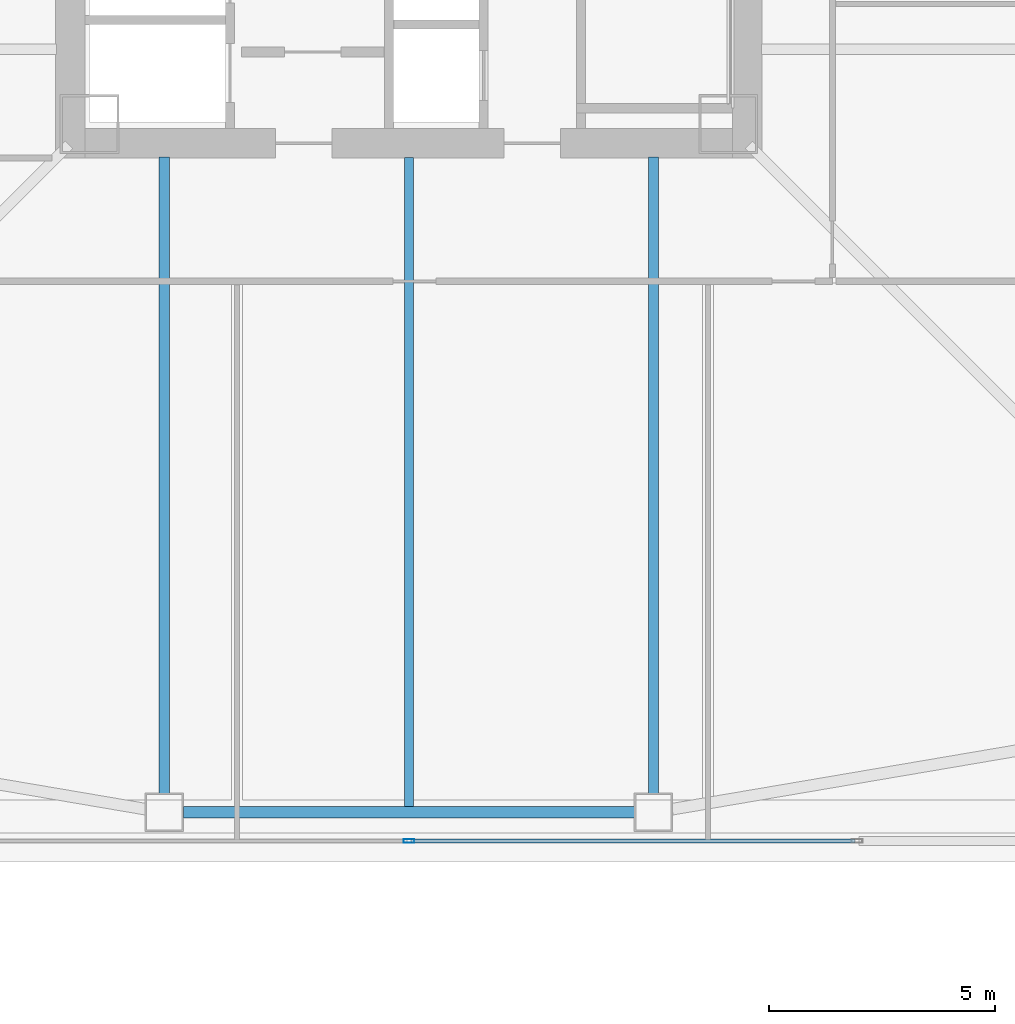
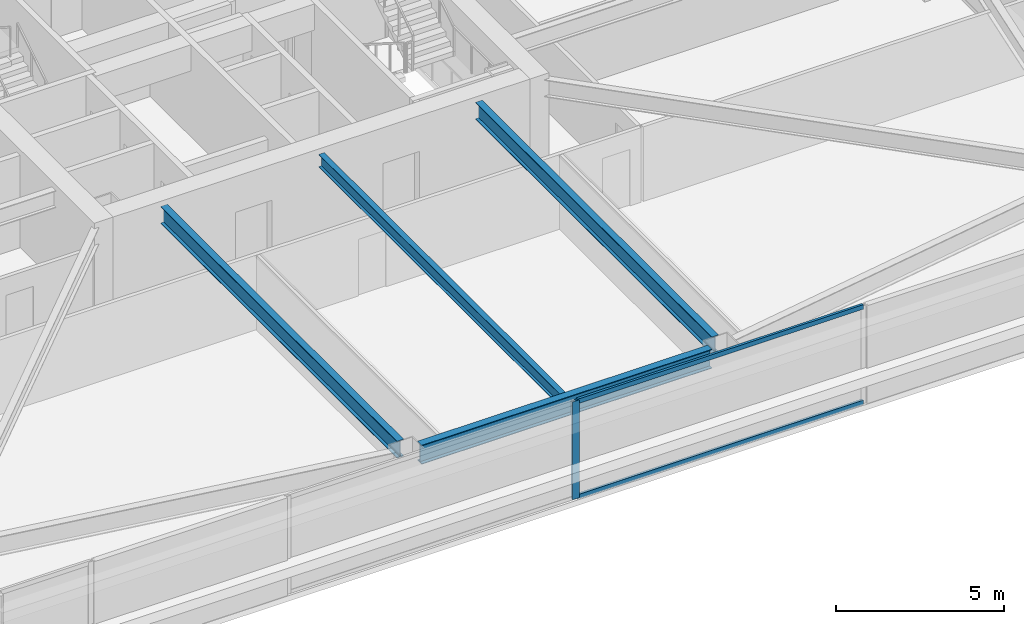
# One storey, part 5 of 51: 4 beams, 3 members, 1 element without a shape of its own.
"""IFC4 building model written with IfcOpenShell, lengths in metres."""

import ifcopenshell
import ifcopenshell.guid

model = None  # the IFC model being written
_history = None  # IfcOwnerHistory: only IFC2X3 demands one
_inside = {}  # id of a spatial element -> (the spatial element, [elements in it])
_under = {}  # id of a project, library or spatial element -> (it, [spatial elements below it])
_declared = {}  # id of a project -> (the project, [libraries it declares])
_typed = {}  # id of a type object -> (the type object, [elements of that type])
_made_of = {}  # id of a material, layer set ... -> (it, [elements and type objects made of it])


def new_model(schema):
    """Start an empty IFC model of exactly this schema.

    Asked for "IFC4X3", IfcOpenShell would pick the latest addendum, in which some entities
    have other attributes; the version numbers below select the first issue.
    IFC2X3 requires an IfcOwnerHistory on every rooted entity: one is made here for all.
    """
    global model, _history
    if schema == "IFC4X3":
        model = ifcopenshell.file(schema_version=(4, 3, 0, 0))
    else:
        model = ifcopenshell.file(schema=schema)
    _inside.clear()
    _under.clear()
    _declared.clear()
    _typed.clear()
    _made_of.clear()
    _history = None
    if model.schema == "IFC2X3":
        org = make("IfcOrganization", Name="unknown")
        user = make(
            "IfcPersonAndOrganization",
            ThePerson=make("IfcPerson", FamilyName="unknown"),
            TheOrganization=org,
        )
        app = make(
            "IfcApplication",
            ApplicationDeveloper=org,
            Version="unknown",
            ApplicationFullName="unknown",
            ApplicationIdentifier="unknown",
        )
        _history = make(
            "IfcOwnerHistory",
            OwningUser=user,
            OwningApplication=app,
            ChangeAction="ADDED",
            CreationDate=0,
        )
    return model


def make(cls, **values):
    """One entity of the class cls with the attributes given. An attribute that is None is left unset."""
    return model.create_entity(
        cls, **{name: value for name, value in values.items() if value is not None}
    )


def rooted(cls, **values):
    """An entity with a GlobalId (a new one), such as an element, a storey or a relation."""
    return make(cls, GlobalId=ifcopenshell.guid.new(), OwnerHistory=_history, **values)


def si_unit(unit_type, name, prefix=None):
    """IfcSIUnit, for example si_unit("LENGTHUNIT", "METRE", prefix="MILLI")."""
    return make("IfcSIUnit", UnitType=unit_type, Prefix=prefix, Name=name)


def assignment(units):
    """IfcUnitAssignment: the units of a project."""
    return None if units is None else make("IfcUnitAssignment", Units=units)


def point(xyz):
    """IfcCartesianPoint."""
    return None if xyz is None else make("IfcCartesianPoint", Coordinates=xyz)


def direction(xyz):
    """IfcDirection."""
    return None if xyz is None else make("IfcDirection", DirectionRatios=xyz)


def frame(location, z_axis=None, x_axis=None):
    """IfcAxis2Placement3D, a coordinate frame: its origin and axes. An axis left out is left unset."""
    return make(
        "IfcAxis2Placement3D",
        Location=point(location),
        Axis=direction(z_axis),
        RefDirection=direction(x_axis),
    )


def frame_2d(location, x_axis=None):
    """IfcAxis2Placement2D, a coordinate frame in the plane: its origin and x axis."""
    return make(
        "IfcAxis2Placement2D", Location=point(location), RefDirection=direction(x_axis)
    )


def origin():
    """The frame at (0, 0, 0) with its axes left unset."""
    return frame((0.0, 0.0, 0.0))


def origin_2d():
    """The frame at (0, 0) in the plane with its x axis left unset."""
    return frame_2d((0.0, 0.0))


def place(relative_to, where):
    """IfcLocalPlacement: puts the frame where relative to a parent placement (None: the world)."""
    return make(
        "IfcLocalPlacement", PlacementRelTo=relative_to, RelativePlacement=where
    )


def context(
    kind, dimensions, precision=None, world=None, true_north=None, identifier=None
):
    """IfcGeometricRepresentationContext, for example the 3D "Model" context."""
    return make(
        "IfcGeometricRepresentationContext",
        ContextIdentifier=identifier,
        ContextType=kind,
        CoordinateSpaceDimension=dimensions,
        Precision=precision,
        WorldCoordinateSystem=world,
        TrueNorth=true_north,
    )


def subcontext(parent, identifier, kind, view, scale=None):
    """IfcGeometricRepresentationSubContext, for example "Body" below "Model"."""
    return make(
        "IfcGeometricRepresentationSubContext",
        ContextIdentifier=identifier,
        ContextType=kind,
        ParentContext=parent,
        TargetScale=scale,
        TargetView=view,
    )


def project(units=None, contexts=None):
    """IfcProject with its units and contexts."""
    return rooted(
        "IfcProject",
        Name="project",
        RepresentationContexts=contexts,
        UnitsInContext=assignment(units),
    )


def spatial(cls, under=None, at=None, **own):
    """A site, building, storey or space (cls), placed at a placement, below another one or the project."""
    s = rooted(cls, ObjectPlacement=at, **own)
    if under is not None:
        _under.setdefault(under.id(), (under, []))[1].append(s)
    return s


def profile(cls, at=None, kind="AREA", **sizes):
    """A parametric profile (cls). Its sizes go by their IFC names, for example OverallWidth=200.0."""
    return make(cls, ProfileType=kind, Position=at, **sizes)


def hollow_rectangle(**sizes):
    """IfcRectangleHollowProfileDef."""
    return profile("IfcRectangleHollowProfileDef", **sizes)


def i_section(**sizes):
    """IfcIShapeProfileDef."""
    return profile("IfcIShapeProfileDef", **sizes)


def extrude(swept, where, along, depth):
    """IfcExtrudedAreaSolid: the profile swept, set in the frame where, extruded along a direction by depth."""
    return make(
        "IfcExtrudedAreaSolid",
        SweptArea=swept,
        Position=where,
        ExtrudedDirection=direction(along),
        Depth=depth,
    )


def shape(context_of_items, identifier, shape_type, items):
    """IfcShapeRepresentation: the items that make up one representation, for example the "Body"."""
    return make(
        "IfcShapeRepresentation",
        ContextOfItems=context_of_items,
        RepresentationIdentifier=identifier,
        RepresentationType=shape_type,
        Items=items,
    )


def material(Name=None, Category=None):
    """IfcMaterial."""
    return make("IfcMaterial", Name=Name, Category=Category)


def material_profile(
    of_material, cross_section, Name=None, Category=None, Priority=None
):
    """IfcMaterialProfile: a cross section and its material."""
    return make(
        "IfcMaterialProfile",
        Name=Name,
        Material=of_material,
        Profile=cross_section,
        Priority=Priority,
        Category=Category,
    )


def profile_set(profiles, Name=None, composite=None):
    """IfcMaterialProfileSet."""
    return make(
        "IfcMaterialProfileSet",
        Name=Name,
        MaterialProfiles=profiles,
        CompositeProfile=composite,
    )


def made_of(thing, what):
    """Note that an element or type object is made of a material, layer set ...; save() writes the relation."""
    if what is not None:
        _made_of.setdefault(what.id(), (what, []))[1].append(thing)
    return thing


def type_object(cls, material=None, **own):
    """A type object (cls), such as IfcWallType, which elements share."""
    return made_of(rooted(cls, **own), material)


def element(
    cls,
    number,
    at=None,
    inside=None,
    cuts=None,
    type_object=None,
    material=None,
    context=None,
    identifier="Body",
    shape_type=None,
    held_by="IfcProductDefinitionShape",
    body=None,
    shapes=None,
    **own,
):
    """One element of the class cls, such as IfcWall. Its Tag is "e" and its number.

    at: its placement. inside: the storey or other place that contains it. cuts: it is an
    opening in that element (IfcRelVoidsElement). A single representation is given by context,
    identifier, shape_type and body (its items); several are given by shapes. held_by: the class
    of the entity that holds the representations. save() writes the other relations.
    """
    e = rooted(cls, Tag="e%d" % number, ObjectPlacement=at, **own)
    if body is not None:
        shapes = [shape(context, identifier, shape_type, body)]
    if shapes is not None:
        e.Representation = make(held_by, Representations=shapes)
    if inside is not None:
        _inside.setdefault(inside.id(), (inside, []))[1].append(e)
    if cuts is not None:
        rooted(
            "IfcRelVoidsElement", RelatingBuildingElement=cuts, RelatedOpeningElement=e
        )
    if type_object is not None:
        _typed.setdefault(type_object.id(), (type_object, []))[1].append(e)
    return made_of(e, material)


def aggregate(whole, parts):
    """IfcRelAggregates: a whole, such as a stair, and the parts it consists of."""
    return rooted("IfcRelAggregates", RelatingObject=whole, RelatedObjects=parts)


def save(model, path):
    """Write the relations noted so far, then the file.

    IfcRelAggregates (storeys below a building ...), IfcRelContainedInSpatialStructure (elements
    in a storey), IfcRelDefinesByType, IfcRelAssociatesMaterial and IfcRelDeclares: one each for
    every whole, place, type object, material and project.
    """
    for whole, parts in _under.values():
        aggregate(whole, parts)
    for where, things in _inside.values():
        rooted(
            "IfcRelContainedInSpatialStructure",
            RelatedElements=things,
            RelatingStructure=where,
        )
    for kind, things in _typed.values():
        rooted("IfcRelDefinesByType", RelatedObjects=things, RelatingType=kind)
    for what, things in _made_of.values():
        rooted("IfcRelAssociatesMaterial", RelatedObjects=things, RelatingMaterial=what)
    for by, libraries in _declared.values():
        rooted("IfcRelDeclares", RelatingContext=by, RelatedDefinitions=libraries)
    model.write(path)


model = new_model("IFC4")

# Units and contexts
model_context = context("Model", 3, precision=1e-05, world=origin(), true_north=direction((0.0, 1.0)))
body_context = subcontext(model_context, "Body", "Model", "MODEL_VIEW")
ifc_project = project(units=[si_unit("LENGTHUNIT", "METRE"), si_unit("AREAUNIT", "SQUARE_METRE"), si_unit("VOLUMEUNIT", "CUBIC_METRE"), si_unit("PLANEANGLEUNIT", "RADIAN"), si_unit("MASSUNIT", "GRAM", prefix="KILO")], contexts=[model_context])

# Site, building, storey
site_placement = place(None, origin())
site = spatial("IfcSite", under=ifc_project, at=site_placement, CompositionType="ELEMENT")
building_placement = place(site_placement, origin())
building = spatial("IfcBuilding", under=site, at=building_placement, Name="Tashvorn Skyway Center", CompositionType="ELEMENT")
storey_placement = place(building_placement, frame((0.0, 0.0, 49.449951171875)))
storey = spatial("IfcBuildingStorey", under=building, at=storey_placement, Name="L12", CompositionType="ELEMENT", Elevation=49.449951171875)

# Beams
ifc_material_1 = material(Name="Steel ASTM A992 Grade 50", Category="steel")
ifc_material_profile_1 = material_profile(ifc_material_1, i_section(OverallWidth=0.22998046875, OverallDepth=0.616943359375, WebThickness=0.01318359375, FlangeThickness=0.022216796875, at=origin_2d()), Name="W24X94")
ifc_profile_set_1 = profile_set([ifc_material_profile_1], Name="Steel ASTM A992 Grade 50")
beam_type_1 = type_object("IfcBeamType", Name="BM-BEAM-W24X94", PredefinedType="BEAM", material=ifc_profile_set_1)
for number, where, z_axis, x_axis, name in (
    (1, (36.60009765625, 10.169921875, 3.04150390625), (0.0, 1.0, 0.0), (-1.0, 0.0, 0.0), "Tower 1 L12 Primary Floor Girder FC-S1"),
    (2, (47.39990234375, 10.169921875, 3.04150390625), (0.0, 1.0, 0.0), (-1.0, 0.0, 0.0), "Tower 1 L12 Primary Floor Girder FC-S2"),
):
    element("IfcBeam", number, at=place(storey_placement, frame(where, z_axis=z_axis, x_axis=x_axis)), inside=storey, type_object=beam_type_1, Name=name, PredefinedType="BEAM", context=body_context, shape_type="SweptSolid", body=[
        extrude(i_section(OverallWidth=0.22998046875, OverallDepth=0.616943359375, WebThickness=0.01318359375, FlangeThickness=0.022216796875, at=origin_2d()), origin(), (0.0, 0.0, 1.0), 14.050048828125),
    ])
ifc_material_profile_2 = material_profile(ifc_material_1, i_section(OverallWidth=0.19091796875, OverallDepth=0.4599609375, WebThickness=0.010009765625, FlangeThickness=0.01611328125, at=origin_2d()), Name="W18X55")
ifc_profile_set_2 = profile_set([ifc_material_profile_2], Name="Steel ASTM A992 Grade 50")
beam_type_2 = type_object("IfcBeamType", Name="BM-JOIST-W18X55", PredefinedType="JOIST", material=ifc_profile_set_2)
beam_1_placement = place(storey_placement, frame((42.0, 24.2099609375, 3.1201171875), z_axis=(0.0, -1.0, 0.0), x_axis=(1.0, 0.0, 0.0)))
element("IfcBeam", 3, at=beam_1_placement, inside=storey, type_object=beam_type_2, Name="Tower 1 L12 Secondary Composite Joist JS", PredefinedType="JOIST", context=body_context, shape_type="SweptSolid", body=[
    extrude(i_section(OverallWidth=0.19091796875, OverallDepth=0.4599609375, WebThickness=0.010009765625, FlangeThickness=0.01611328125, at=origin_2d()), origin(), (0.0, 0.0, 1.0), 14.33984375),
])
ifc_material_profile_3 = material_profile(ifc_material_1, i_section(OverallWidth=0.256103515625, OverallDepth=0.693115234375, WebThickness=0.014404296875, FlangeThickness=0.023681640625, at=origin_2d()), Name="W27X114")
ifc_profile_set_3 = profile_set([ifc_material_profile_3], Name="Steel ASTM A992 Grade 50")
beam_type_3 = type_object("IfcBeamType", Name="BM-SPANDREL-W27X114", PredefinedType="SPANDREL", material=ifc_profile_set_3)
beam_2_placement = place(storey_placement, frame((37.02001953125, 9.75, 3.003662109375), z_axis=(1.0, 0.0, 0.0), x_axis=(0.0, 1.0, 0.0)))
element("IfcBeam", 4, at=beam_2_placement, inside=storey, type_object=beam_type_3, Name="Tower 1 L12 Spandrel Beam 02", PredefinedType="SPANDREL", context=body_context, shape_type="SweptSolid", body=[
    extrude(i_section(OverallWidth=0.256103515625, OverallDepth=0.693115234375, WebThickness=0.014404296875, FlangeThickness=0.023681640625, at=origin_2d()), origin(), (0.0, 0.0, 1.0), 9.9599609375),
])

# Curtain wall, members
ifc_material_2 = material(Name="Thermally broken bronze-anodized aluminium 6063-T6", Category="aluminium")
curtain_wall_type = type_object("IfcCurtainWallType", Name="CW-CW-Z1", PredefinedType="NOTDEFINED", material=ifc_material_2)
curtain_wall_placement = place(storey_placement, origin())
curtain_wall = element("IfcCurtainWall", 5, at=curtain_wall_placement, inside=storey, type_object=curtain_wall_type, Name="Tower 1 L12 South Unitised Curtain Wall Glazing Group 2", PredefinedType="NOTDEFINED")
ifc_material_profile_4 = material_profile(ifc_material_2, hollow_rectangle(XDim=0.0849609375, YDim=0.239990234375, WallThickness=0.0048828125, at=origin_2d()), Name="ALU-MULL-85x240")
ifc_profile_set_4 = profile_set([ifc_material_profile_4], Name="Thermally broken bronze-anodized aluminium 6063-T6")
member_type_1 = type_object("IfcMemberType", Name="CWM-CW-Z1", PredefinedType="MULLION", material=ifc_profile_set_4)
member_1_placement = place(storey_placement, frame((42.0, 9.1201171875, 0.0), z_axis=(0.0, 0.0, 1.0), x_axis=(0.0, -1.0, 0.0)))
member_1 = element("IfcMember", 6, at=member_1_placement, type_object=member_type_1, Name="CW-Z1 mullion 2", PredefinedType="MULLION", context=body_context, shape_type="SweptSolid", body=[
    extrude(hollow_rectangle(XDim=0.0849609375, YDim=0.239990234375, WallThickness=0.0048828125, at=origin_2d()), origin(), (0.0, 0.0, 1.0), 3.550048828125),
])
ifc_material_profile_5 = material_profile(ifc_material_2, hollow_rectangle(XDim=0.0849609375, YDim=0.1650390625, WallThickness=0.0048828125, at=origin_2d()), Name="ALU-TRAN-85x165")
ifc_profile_set_5 = profile_set([ifc_material_profile_5], Name="Thermally broken bronze-anodized aluminium 6063-T6")
member_type_2 = type_object("IfcMemberType", Name="CWT-CW-Z1", PredefinedType="USERDEFINED", material=ifc_profile_set_5)
member_2_placement = place(storey_placement, frame((51.85498046875, 9.1201171875, 0.04248046875), z_axis=(-1.0, 0.0, 0.0), x_axis=(0.0, -1.0, 0.0)))
member_2 = element("IfcMember", 7, at=member_2_placement, type_object=member_type_2, Name="CW-Z1 transom 1.1", ObjectType="TRANSOM", PredefinedType="USERDEFINED", context=body_context, shape_type="SweptSolid", body=[
    extrude(hollow_rectangle(XDim=0.0849609375, YDim=0.1650390625, WallThickness=0.0048828125, at=origin_2d()), origin(), (0.0, 0.0, 1.0), 9.8125),
])
member_3_placement = place(storey_placement, frame((51.85498046875, 9.1201171875, 3.507568359375), z_axis=(-1.0, 0.0, 0.0), x_axis=(0.0, -1.0, 0.0)))
member_3 = element("IfcMember", 8, at=member_3_placement, type_object=member_type_2, Name="CW-Z1 transom 1.2", ObjectType="TRANSOM", PredefinedType="USERDEFINED", context=body_context, shape_type="SweptSolid", body=[
    extrude(hollow_rectangle(XDim=0.0849609375, YDim=0.1650390625, WallThickness=0.0048828125, at=origin_2d()), origin(), (0.0, 0.0, 1.0), 9.8125),
])
aggregate(curtain_wall, [member_1, member_2, member_3])

save(model, "model.ifc")
